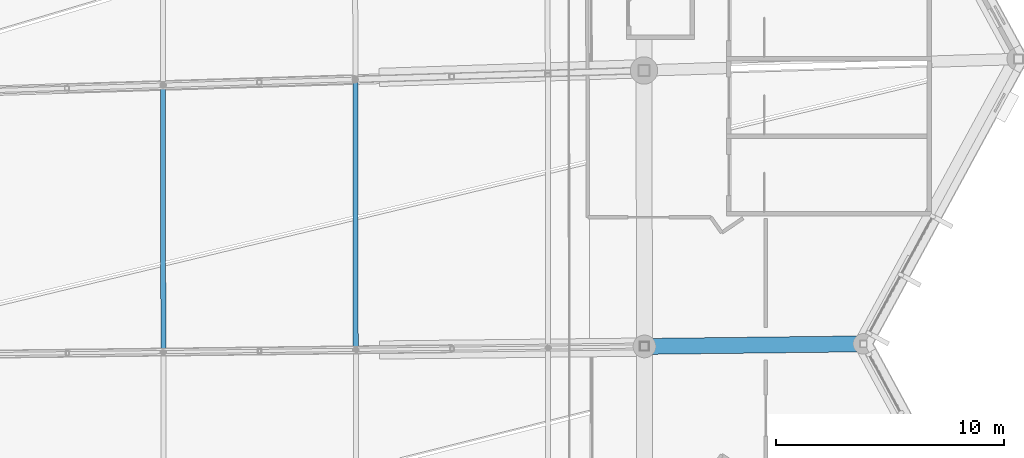
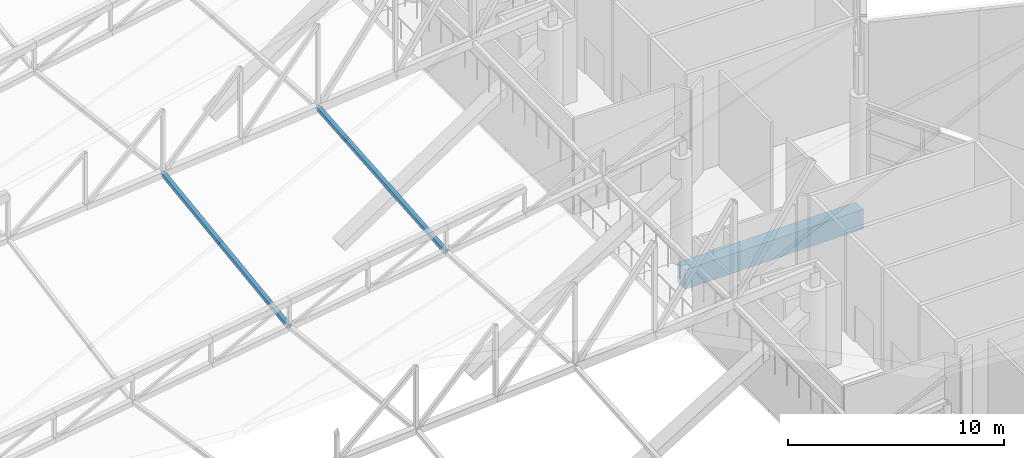
# One storey, part 111 of 344: 2 members, 1 beam.
"""IFC4 building model written with IfcOpenShell, lengths in metres."""

from ifc_helpers import new_model, si_unit, direction, frame, origin, origin_2d, place, context, subcontext, project, spatial, rectangle, hollow_rectangle, extrude, material, material_profile, profile_set, type_object, element, save


model = new_model("IFC4")

# Units and contexts
model_context = context("Model", 3, precision=1e-05, world=origin(), true_north=direction((0.0, 1.0)))
body_context = subcontext(model_context, "Body", "Model", "MODEL_VIEW")
ifc_project = project(units=[si_unit("LENGTHUNIT", "METRE"), si_unit("AREAUNIT", "SQUARE_METRE"), si_unit("VOLUMEUNIT", "CUBIC_METRE"), si_unit("PLANEANGLEUNIT", "RADIAN"), si_unit("MASSUNIT", "GRAM", prefix="KILO")], contexts=[model_context])

# Site, building, storey
site_placement = place(None, origin())
site = spatial("IfcSite", under=ifc_project, at=site_placement, CompositionType="ELEMENT")
building_placement = place(site_placement, origin())
building = spatial("IfcBuilding", under=site, at=building_placement, Name="Meseta Stadium", CompositionType="ELEMENT")
storey_placement = place(building_placement, frame((0.0, 0.0, 24.0)))
storey = spatial("IfcBuildingStorey", under=building, at=storey_placement, Name="L04", CompositionType="ELEMENT", Elevation=24.0)

# Beam
ifc_material_1 = material(Name="Concrete C40/50", Category="concrete")
ifc_material_profile_1 = material_profile(ifc_material_1, rectangle(XDim=0.699951171875, YDim=1.10009765625, at=origin_2d()), Name="RC 700x1100")
ifc_profile_set_1 = profile_set([ifc_material_profile_1], Name="Concrete C40/50")
beam_type = type_object("IfcBeamType", Name="RC beam 700x1100", PredefinedType="BEAM", material=ifc_profile_set_1)
beam_placement = place(storey_placement, frame((84.9970703125, 6.13720703125, -0.949951171875), z_axis=(0.999931028004, 0.01174475352, 0.0), x_axis=(-0.01174475352, 0.999931028004, 0.0)))
element("IfcBeam", 1, at=beam_placement, inside=storey, type_object=beam_type, Name="L04 radial beam frame 5 line P to R", PredefinedType="BEAM", context=body_context, shape_type="SweptSolid", body=[
    extrude(rectangle(XDim=0.699951171875, YDim=1.10009765625, at=origin_2d()), origin(), (0.0, 0.0, 1.0), 9.603759765625),
])

# Members
ifc_material_2 = material(Name="Steel S355", Category="steel")
ifc_material_profile_2 = material_profile(ifc_material_2, hollow_rectangle(XDim=0.219970703125, YDim=0.219970703125, WallThickness=0.008056640625, at=origin_2d()), Name="SHS 220x220x8")
ifc_profile_set_2 = profile_set([ifc_material_profile_2], Name="Steel S355")
member_type = type_object("IfcMemberType", Name="SHS 220x220x8 strut", PredefinedType="STRUT", material=ifc_profile_set_2)
member_1_placement = place(storey_placement, frame((63.887451171875, 5.88916015625, 3.73583984375), z_axis=(-0.000826780188, 0.990854716592, 0.13493052672), x_axis=(-0.999999651879, -0.000834410824, 0.0)))
element("IfcMember", 2, at=member_1_placement, inside=storey, type_object=member_type, Name="ROOF TRUSS STRUT RT-05/06", PredefinedType="STRUT", context=body_context, shape_type="SweptSolid", body=[
    extrude(hollow_rectangle(XDim=0.219970703125, YDim=0.219970703125, WallThickness=0.008056640625, at=origin_2d()), origin(), (0.0, 0.0, 1.0), 11.8115234375),
])
member_2_placement = place(storey_placement, frame((72.331298828125, 5.98828125, 4.96142578125), z_axis=(-0.001107409494, 0.996627529831, 0.082050840505), x_axis=(-0.999999382666, -0.001111156152, 0.0)))
element("IfcMember", 3, at=member_2_placement, inside=storey, type_object=member_type, Name="ROOF TRUSS STRUT RT-05/06", PredefinedType="STRUT", context=body_context, shape_type="SweptSolid", body=[
    extrude(hollow_rectangle(XDim=0.219970703125, YDim=0.219970703125, WallThickness=0.008056640625, at=origin_2d()), origin(), (0.0, 0.0, 1.0), 11.90478515625),
])

save(model, "model.ifc")
